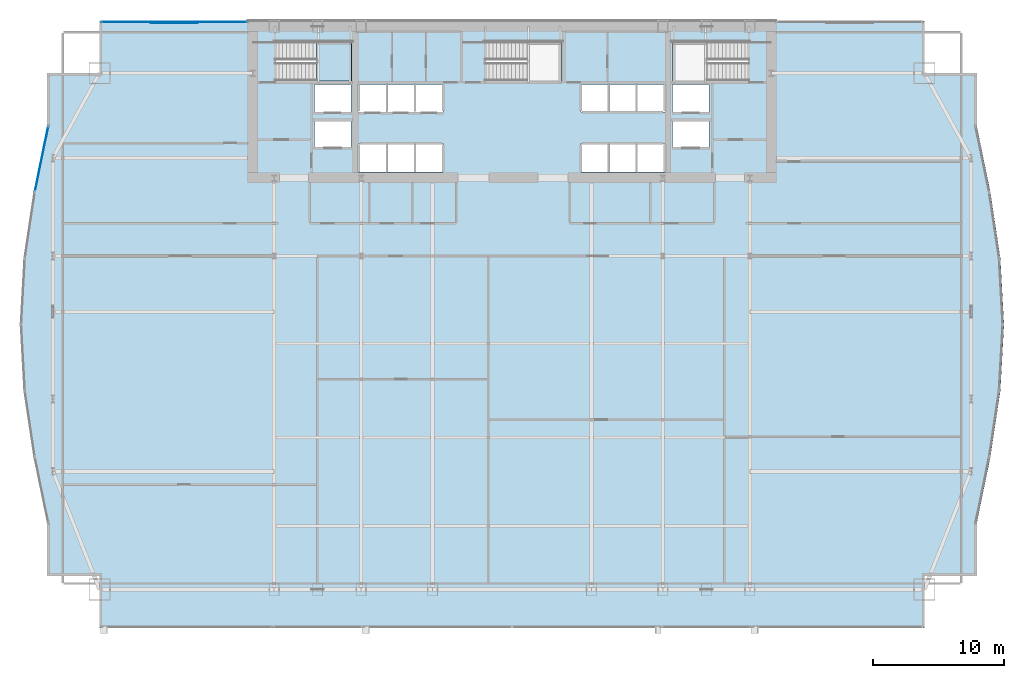
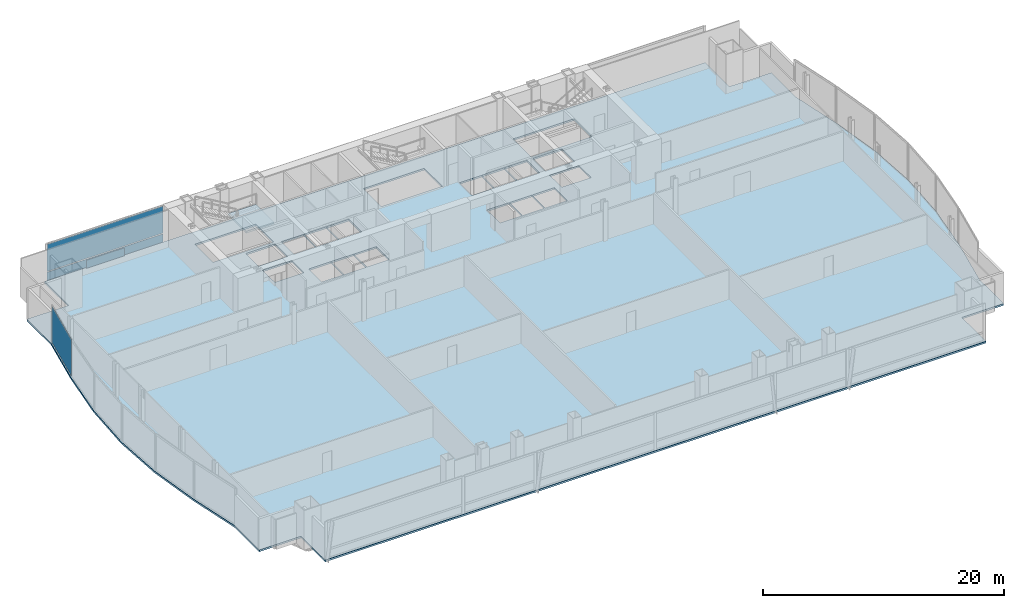
# One storey, part 28 of 36: 4 plates, 2 slabs, 3 elements without a shape of their own.
"""IFC4 building model written with IfcOpenShell, lengths in metres."""

from ifc_helpers import new_model, si_unit, direction, frame, origin, origin_2d, place, context, subcontext, project, spatial, polyline, rectangle, outline, extrude, material, layer, layer_set, type_object, element, aggregate, save


model = new_model("IFC4")

# Units and contexts
model_context = context("Model", 3, precision=1e-05, world=origin(), true_north=direction((0.0, 1.0)))
body_context = subcontext(model_context, "Body", "Model", "MODEL_VIEW")
ifc_project = project(units=[si_unit("LENGTHUNIT", "METRE"), si_unit("AREAUNIT", "SQUARE_METRE"), si_unit("VOLUMEUNIT", "CUBIC_METRE"), si_unit("PLANEANGLEUNIT", "RADIAN"), si_unit("MASSUNIT", "GRAM", prefix="KILO")], contexts=[model_context])

# Site, building, storey
site_placement = place(None, origin())
site = spatial("IfcSite", under=ifc_project, at=site_placement, CompositionType="ELEMENT")
building_placement = place(site_placement, origin())
building = spatial("IfcBuilding", under=site, at=building_placement, Name="Khoronbel Lancet Exchange", CompositionType="ELEMENT")
storey_placement = place(building_placement, frame((0.0, 0.0, 57.800048828125)))
storey = spatial("IfcBuildingStorey", under=building, at=storey_placement, Name="L13", CompositionType="ELEMENT", Elevation=57.800048828125)

# Curtain wall, plates
ifc_material_1 = material(Name="Low-E Solar Control Insulating Glass", Category="glass")
curtain_wall_type_1 = type_object("IfcCurtainWallType", Name="CW-1", PredefinedType="NOTDEFINED", material=ifc_material_1)
curtain_wall_1_placement = place(storey_placement, origin())
curtain_wall_1 = element("IfcCurtainWall", 1, at=curtain_wall_1_placement, inside=storey, type_object=curtain_wall_type_1, Name="Unitised curtain wall CW-L13-NWFLK", PredefinedType="NOTDEFINED")
ifc_material_2 = material(Name="Bronze-Anodised Aluminium 6063-T6", Category="aluminium")
ifc_layer_1 = layer(ifc_material_2, 0.050048828125, Name="Bronze-Anodised Aluminium 6063-T6")
ifc_layer_set_1 = layer_set([ifc_layer_1], Name="Bronze-Anodised Aluminium 6063-T6")
plate_type_1 = type_object("IfcPlateType", Name="PLT-CSP1", PredefinedType="SHEET", material=ifc_layer_set_1)
plate_1_placement = place(storey_placement, frame((10.580078125, 53.550048828125, 0.0498046875), z_axis=(0.0, 0.0, 1.0), x_axis=(-1.0, 0.0, 0.0)))
plate_1 = element("IfcPlate", 2, at=plate_1_placement, type_object=plate_type_1, Name="Insulated bronze spandrel cassette CW-L13-NWFLK", PredefinedType="SHEET", context=body_context, shape_type="SweptSolid", body=[
    extrude(rectangle(XDim=3.60009765625, YDim=0.050048828125, at=origin_2d()), origin(), (0.0, 0.0, 1.0), 0.800048828125),
])
ifc_layer_2 = layer(ifc_material_1, 0.035888671875, Name="Low-E Solar Control Insulating Glass")
ifc_layer_set_2 = layer_set([ifc_layer_2], Name="Low-E Solar Control Insulating Glass")
plate_type_2 = type_object("IfcPlateType", Name="PLT-CWP1", PredefinedType="CURTAIN_PANEL", material=ifc_layer_set_2)
plate_2_placement = place(storey_placement, frame((10.580078125, 53.610107421875, 0.0849609375), z_axis=(0.0, 0.0, 1.0), x_axis=(-1.0, 0.0, 0.0)))
plate_2 = element("IfcPlate", 3, at=plate_2_placement, type_object=plate_type_2, Name="CW1 panel 1.1", PredefinedType="CURTAIN_PANEL", context=body_context, shape_type="SweptSolid", body=[
    extrude(rectangle(XDim=11.110107421875, YDim=0.0380859375, at=origin_2d()), origin(), (0.0, 0.0, 1.0), 0.822509765625),
])
plate_3_placement = place(storey_placement, frame((10.580078125, 53.610107421875, 0.99267578125), z_axis=(0.0, 0.0, 1.0), x_axis=(-1.0, 0.0, 0.0)))
plate_3 = element("IfcPlate", 4, at=plate_3_placement, type_object=plate_type_2, Name="CW1 panel 1.2", PredefinedType="CURTAIN_PANEL", context=body_context, shape_type="SweptSolid", body=[
    extrude(rectangle(XDim=11.110107421875, YDim=0.0380859375, at=origin_2d()), origin(), (0.0, 0.0, 1.0), 2.742431640625),
])
aggregate(curtain_wall_1, [plate_2, plate_3, plate_1])

# Curtain wall, plate
curtain_wall_type_2 = type_object("IfcCurtainWallType", Name="CW-4", PredefinedType="NOTDEFINED", material=ifc_material_1)
curtain_wall_2_placement = place(storey_placement, origin())
curtain_wall_2 = element("IfcCurtainWall", 5, at=curtain_wall_2_placement, inside=storey, type_object=curtain_wall_type_2, Name="Unitised curtain wall CW-L13-E09", PredefinedType="NOTDEFINED")
ifc_material_3 = material(Name="Ceramic-Fritted Laminated Insulating Glass", Category="glass")
ifc_layer_3 = layer(ifc_material_3, 0.0419921875, Name="Ceramic-Fritted Laminated Insulating Glass")
ifc_layer_set_3 = layer_set([ifc_layer_3], Name="Ceramic-Fritted Laminated Insulating Glass")
plate_type_3 = type_object("IfcPlateType", Name="PLT-CWP2", PredefinedType="CURTAIN_PANEL", material=ifc_layer_set_3)
plate_4_placement = place(storey_placement, frame((0.416015625, 43.145751953125, 0.0849609375), z_axis=(0.0, 0.0, 1.0), x_axis=(0.201704501049, 0.979446422351, 0.0)))
plate_4 = element("IfcPlate", 6, at=plate_4_placement, type_object=plate_type_3, Name="CW4 panel 1.1", PredefinedType="CURTAIN_PANEL", context=body_context, shape_type="SweptSolid", body=[
    extrude(rectangle(XDim=5.046630859375, YDim=0.0380859375, at=origin_2d()), origin(), (0.0, 0.0, 1.0), 3.64990234375),
])
aggregate(curtain_wall_2, [plate_4])

# Slab
ifc_material_4 = material(Name="Concrete C40/50", Category="concrete")
ifc_layer_4 = layer(ifc_material_4, 0.179931640625, Name="Concrete C40/50")
ifc_layer_set_4 = layer_set([ifc_layer_4], Name="Concrete C40/50")
slab_type_1 = type_object("IfcSlabType", Name="SL-FL180", PredefinedType="FLOOR", material=ifc_layer_set_4)
slab_1_placement = place(storey_placement, frame((0.0, 0.0, -0.179931640625)))
element("IfcSlab", 7, at=slab_1_placement, inside=storey, type_object=slab_type_1, Name="Level L13 composite structural floor slab", PredefinedType="FLOOR", context=body_context, shape_type="SweptSolid", body=[
    extrude(outline(polyline([(4.85009765625, 7.199951171875), (68.050048828125, 7.199951171875), (68.050048828125, 11.199951171875), (72.050048828125, 11.199951171875), (72.050048828125, 15.199951171875), (73.0966796875, 20.283203125), (73.86328125, 25.36669921875), (74.143798828125, 30.449951171875), (73.86328125, 35.533203125), (73.0966796875, 40.61669921875), (72.050048828125, 45.699951171875), (72.050048828125, 49.699951171875), (68.050048828125, 49.699951171875), (68.050048828125, 53.699951171875), (4.85009765625, 53.699951171875), (4.85009765625, 49.699951171875), (0.85009765625, 49.699951171875), (0.85009765625, 45.699951171875), (-0.19677734375, 40.61669921875), (-0.963134765625, 35.533203125), (-1.24365234375, 30.449951171875), (-0.963134765625, 25.36669921875), (-0.19677734375, 20.283203125), (0.85009765625, 15.199951171875), (0.85009765625, 11.199951171875), (4.85009765625, 11.199951171875), (4.85009765625, 7.199951171875)]), holes=[polyline([(18.324951171875, 49.1201171875), (24.14990234375, 49.1201171875), (24.14990234375, 52.10009765625), (18.324951171875, 52.10009765625), (18.324951171875, 49.1201171875)]), polyline([(48.75, 49.1201171875), (54.574951171875, 49.1201171875), (54.574951171875, 52.10009765625), (48.75, 52.10009765625), (48.75, 49.1201171875)]), polyline([(34.425048828125, 49.1201171875), (40.25, 49.1201171875), (40.25, 52.10009765625), (34.425048828125, 52.10009765625), (34.425048828125, 49.1201171875)]), polyline([(24.699951171875, 46.75), (26.840087890625, 46.75), (26.840087890625, 48.85009765625), (24.699951171875, 48.85009765625), (24.699951171875, 46.75)]), polyline([(26.860107421875, 46.75), (29.0, 46.75), (29.0, 48.85009765625), (26.860107421875, 48.85009765625), (26.860107421875, 46.75)]), polyline([(29.02001953125, 46.75), (31.159912109375, 46.75), (31.159912109375, 48.85009765625), (29.02001953125, 48.85009765625), (29.02001953125, 46.75)]), polyline([(24.699951171875, 42.14990234375), (26.840087890625, 42.14990234375), (26.840087890625, 44.300048828125), (24.699951171875, 44.300048828125), (24.699951171875, 42.14990234375)]), polyline([(26.860107421875, 42.14990234375), (29.0, 42.14990234375), (29.0, 44.300048828125), (26.860107421875, 44.300048828125), (26.860107421875, 42.14990234375)]), polyline([(29.02001953125, 42.14990234375), (31.159912109375, 42.14990234375), (31.159912109375, 44.300048828125), (29.02001953125, 44.300048828125), (29.02001953125, 42.14990234375)]), polyline([(41.739990234375, 46.75), (43.8798828125, 46.75), (43.8798828125, 48.85009765625), (41.739990234375, 48.85009765625), (41.739990234375, 46.75)]), polyline([(43.89990234375, 46.75), (46.0400390625, 46.75), (46.0400390625, 48.85009765625), (43.89990234375, 48.85009765625), (43.89990234375, 46.75)]), polyline([(46.06005859375, 46.75), (48.199951171875, 46.75), (48.199951171875, 48.85009765625), (46.06005859375, 48.85009765625), (46.06005859375, 46.75)]), polyline([(41.739990234375, 42.14990234375), (43.8798828125, 42.14990234375), (43.8798828125, 44.300048828125), (41.739990234375, 44.300048828125), (41.739990234375, 42.14990234375)]), polyline([(43.89990234375, 42.14990234375), (46.0400390625, 42.14990234375), (46.0400390625, 44.300048828125), (43.89990234375, 44.300048828125), (43.89990234375, 42.14990234375)]), polyline([(46.06005859375, 42.14990234375), (48.199951171875, 42.14990234375), (48.199951171875, 44.300048828125), (46.06005859375, 44.300048828125), (46.06005859375, 42.14990234375)]), polyline([(21.300048828125, 46.75), (24.10009765625, 46.75), (24.10009765625, 48.85009765625), (21.300048828125, 48.85009765625), (21.300048828125, 46.75)]), polyline([(48.75, 46.75), (51.550048828125, 46.75), (51.550048828125, 48.85009765625), (48.75, 48.85009765625), (48.75, 46.75)]), polyline([(21.300048828125, 44.050048828125), (24.10009765625, 44.050048828125), (24.10009765625, 46.050048828125), (21.300048828125, 46.050048828125), (21.300048828125, 44.050048828125)]), polyline([(48.75, 44.050048828125), (51.550048828125, 44.050048828125), (51.550048828125, 46.050048828125), (48.75, 46.050048828125), (48.75, 44.050048828125)])]), origin(), (0.0, 0.0, 1.0), 0.179931640625),
])

# Stair, slab
stair_type = type_object("IfcStairType", Name="STR-CORE150", PredefinedType="HALF_TURN_STAIR", material=ifc_material_4)
stair_placement = place(storey_placement, origin())
stair = element("IfcStair", 8, at=stair_placement, inside=storey, type_object=stair_type, Name="L13 Protected Exit Stair ST1", PredefinedType="HALF_TURN_STAIR")
ifc_layer_5 = layer(ifc_material_4, 0.199951171875, Name="Concrete C40/50")
ifc_layer_set_5 = layer_set([ifc_layer_5], Name="Concrete C40/50")
slab_type_2 = type_object("IfcSlabType", Name="SL-LND180", PredefinedType="LANDING", material=ifc_layer_set_5)
slab_2_placement = place(storey_placement, frame((0.0, 0.0, 1.800048828125)))
slab_2 = element("IfcSlab", 9, at=slab_2_placement, type_object=slab_type_2, Name="ST1 landing 1", PredefinedType="LANDING", context=body_context, shape_type="SweptSolid", body=[
    extrude(outline(polyline([(21.489990234375, 49.1201171875), (24.14990234375, 49.1201171875), (24.14990234375, 52.10009765625), (21.489990234375, 52.10009765625), (21.489990234375, 49.1201171875)])), origin(), (0.0, 0.0, 1.0), 0.199951171875),
])
aggregate(stair, [slab_2])

save(model, "model.ifc")
